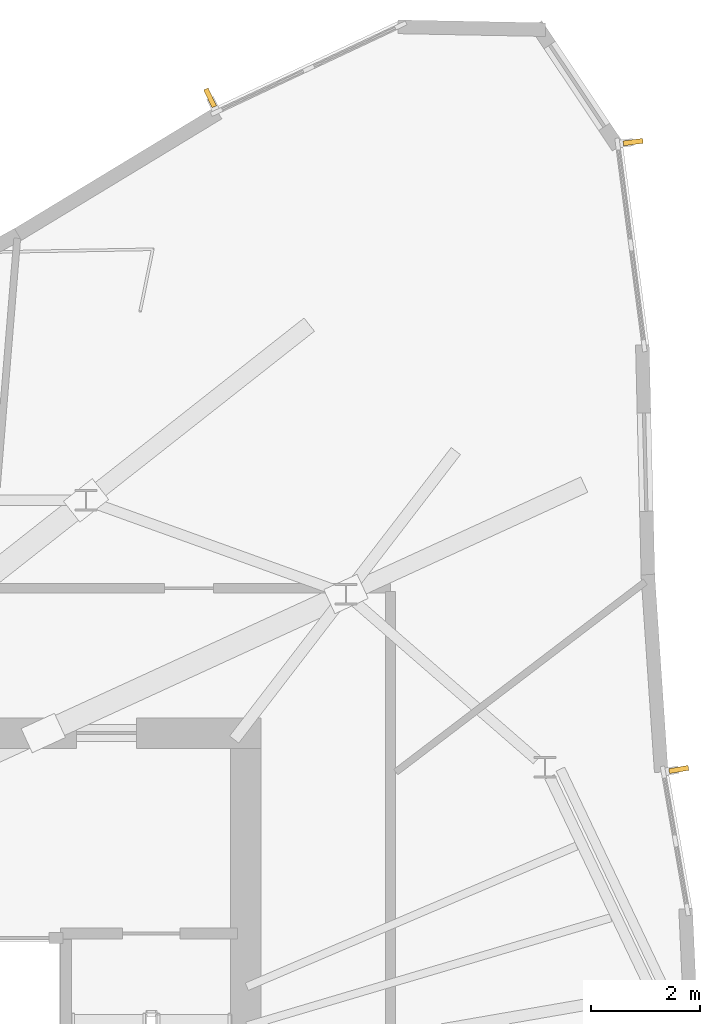
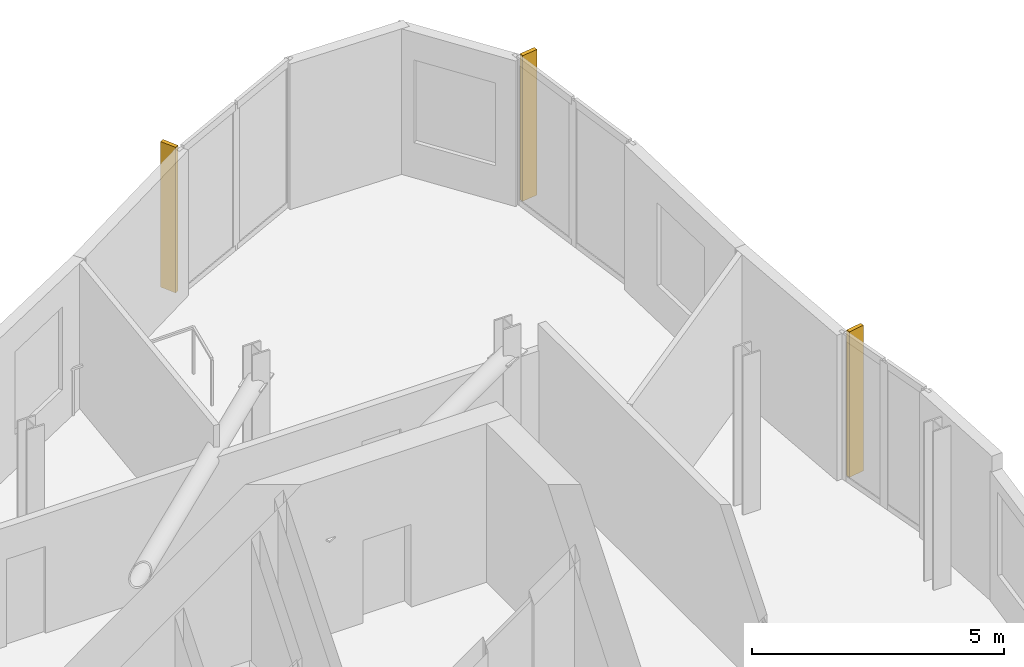
# One storey, part 8 of 8: 3 shading devices.
"""IFC4 building model written with IfcOpenShell, lengths in metres."""

from ifc_helpers import new_model, si_unit, direction, frame, origin, origin_2d, place, context, subcontext, project, spatial, rectangle, extrude, material, layer, layer_set, type_object, element, save


model = new_model("IFC4")

# Units and contexts
model_context = context("Model", 3, precision=1e-05, world=origin(), true_north=direction((0.0, 1.0)))
body_context = subcontext(model_context, "Body", "Model", "MODEL_VIEW")
ifc_project = project(units=[si_unit("LENGTHUNIT", "METRE"), si_unit("AREAUNIT", "SQUARE_METRE"), si_unit("VOLUMEUNIT", "CUBIC_METRE"), si_unit("PLANEANGLEUNIT", "RADIAN"), si_unit("MASSUNIT", "GRAM", prefix="KILO")], contexts=[model_context])

# Site, building, storey
site_placement = place(None, origin())
site = spatial("IfcSite", under=ifc_project, at=site_placement, CompositionType="ELEMENT")
building_placement = place(site_placement, origin())
building = spatial("IfcBuilding", under=site, at=building_placement, Name="Veldorim Arch Residences", CompositionType="ELEMENT")
storey_placement = place(building_placement, frame((0.0, 0.0, 243.0400390625)))
storey = spatial("IfcBuildingStorey", under=building, at=storey_placement, Name="L73", CompositionType="ELEMENT", Elevation=243.0400390625)

# Shading devices
ifc_material = material(Name="Terracotta Ceramic", Category="masonry")
ifc_layer = layer(ifc_material, 0.090087890625, Name="Vertical Extruded Terracotta Baguette Sun-Shading Fin")
ifc_layer_set = layer_set([ifc_layer], Name="Terracotta Ceramic")
shading_device_type = type_object("IfcShadingDeviceType", Name="Vertical Extruded Terracotta Baguette Sun-Shading Fin", PredefinedType="USERDEFINED", material=ifc_layer_set)
for number, where, z_axis, x_axis, name in (
    (1, (36.844970703125, 42.62841796875, 0.0), (0.0, 0.0, 1.0), (0.904975622348, 0.425463421407, 0.0), "L73 vertical terracotta sun-shading fin 02"),
    (2, (45.425537109375, 30.33251953125, 0.0), (0.0, 0.0, 1.0), (0.171241322388, -0.985229115235, 0.0), "L73 vertical terracotta sun-shading fin 32"),
    (3, (44.590087890625, 41.818359375, 0.0), (0.0, 0.0, 1.0), (0.129834001381, -0.99153574423, 0.0), "L73 vertical terracotta sun-shading fin 35"),
):
    element("IfcShadingDevice", number, at=place(storey_placement, frame(where, z_axis=z_axis, x_axis=x_axis)), inside=storey, type_object=shading_device_type, Name=name, ObjectType="FIN", PredefinedType="USERDEFINED", context=body_context, shape_type="SweptSolid", body=[
        extrude(rectangle(XDim=0.090087890625, YDim=0.360107421875, at=origin_2d()), origin(), (0.0, 0.0, 1.0), 3.52001953125),
    ])

save(model, "model.ifc")
